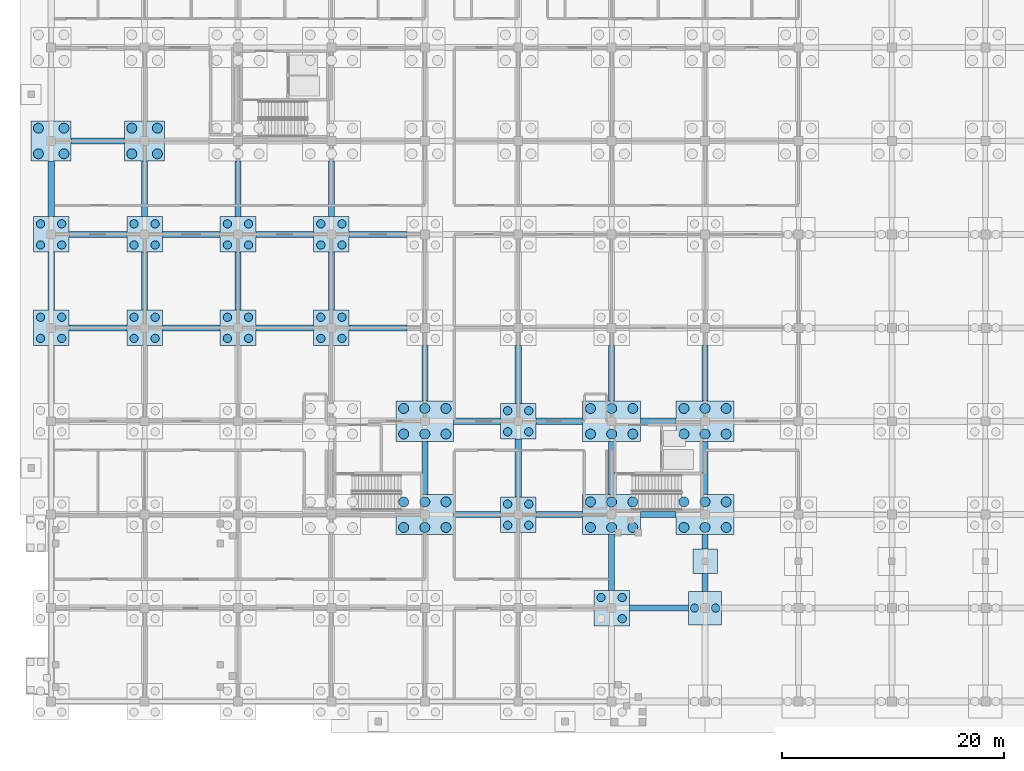
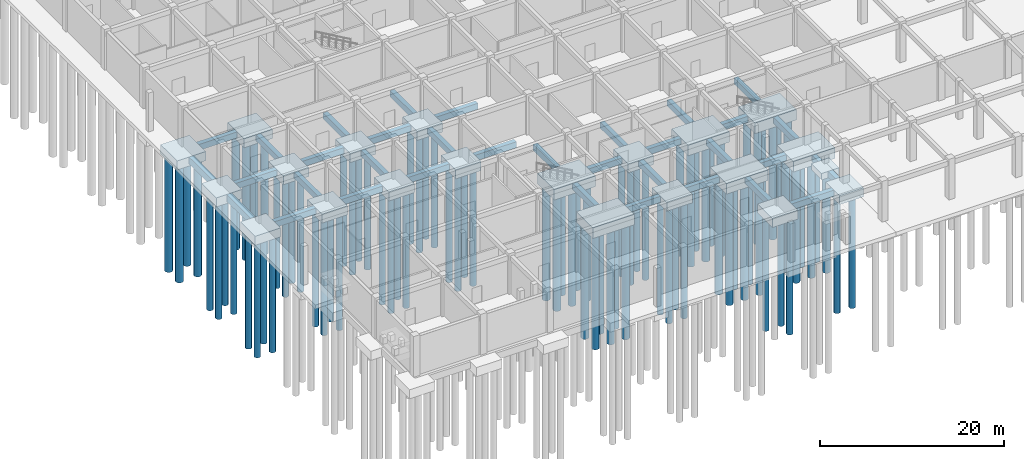
# One storey, part 2 of 65: 89 piles, 56 footings.
"""IFC4 building model written with IfcOpenShell, lengths in metres."""

import ifcopenshell
import ifcopenshell.guid

model = None  # the IFC model being written
_history = None  # IfcOwnerHistory: only IFC2X3 demands one
_inside = {}  # id of a spatial element -> (the spatial element, [elements in it])
_under = {}  # id of a project, library or spatial element -> (it, [spatial elements below it])
_declared = {}  # id of a project -> (the project, [libraries it declares])
_typed = {}  # id of a type object -> (the type object, [elements of that type])
_made_of = {}  # id of a material, layer set ... -> (it, [elements and type objects made of it])


def new_model(schema):
    """Start an empty IFC model of exactly this schema.

    Asked for "IFC4X3", IfcOpenShell would pick the latest addendum, in which some entities
    have other attributes; the version numbers below select the first issue.
    IFC2X3 requires an IfcOwnerHistory on every rooted entity: one is made here for all.
    """
    global model, _history
    if schema == "IFC4X3":
        model = ifcopenshell.file(schema_version=(4, 3, 0, 0))
    else:
        model = ifcopenshell.file(schema=schema)
    _inside.clear()
    _under.clear()
    _declared.clear()
    _typed.clear()
    _made_of.clear()
    _history = None
    if model.schema == "IFC2X3":
        org = make("IfcOrganization", Name="unknown")
        user = make(
            "IfcPersonAndOrganization",
            ThePerson=make("IfcPerson", FamilyName="unknown"),
            TheOrganization=org,
        )
        app = make(
            "IfcApplication",
            ApplicationDeveloper=org,
            Version="unknown",
            ApplicationFullName="unknown",
            ApplicationIdentifier="unknown",
        )
        _history = make(
            "IfcOwnerHistory",
            OwningUser=user,
            OwningApplication=app,
            ChangeAction="ADDED",
            CreationDate=0,
        )
    return model


def make(cls, **values):
    """One entity of the class cls with the attributes given. An attribute that is None is left unset."""
    return model.create_entity(
        cls, **{name: value for name, value in values.items() if value is not None}
    )


def rooted(cls, **values):
    """An entity with a GlobalId (a new one), such as an element, a storey or a relation."""
    return make(cls, GlobalId=ifcopenshell.guid.new(), OwnerHistory=_history, **values)


def si_unit(unit_type, name, prefix=None):
    """IfcSIUnit, for example si_unit("LENGTHUNIT", "METRE", prefix="MILLI")."""
    return make("IfcSIUnit", UnitType=unit_type, Prefix=prefix, Name=name)


def assignment(units):
    """IfcUnitAssignment: the units of a project."""
    return None if units is None else make("IfcUnitAssignment", Units=units)


def point(xyz):
    """IfcCartesianPoint."""
    return None if xyz is None else make("IfcCartesianPoint", Coordinates=xyz)


def direction(xyz):
    """IfcDirection."""
    return None if xyz is None else make("IfcDirection", DirectionRatios=xyz)


def frame(location, z_axis=None, x_axis=None):
    """IfcAxis2Placement3D, a coordinate frame: its origin and axes. An axis left out is left unset."""
    return make(
        "IfcAxis2Placement3D",
        Location=point(location),
        Axis=direction(z_axis),
        RefDirection=direction(x_axis),
    )


def frame_2d(location, x_axis=None):
    """IfcAxis2Placement2D, a coordinate frame in the plane: its origin and x axis."""
    return make(
        "IfcAxis2Placement2D", Location=point(location), RefDirection=direction(x_axis)
    )


def origin():
    """The frame at (0, 0, 0) with its axes left unset."""
    return frame((0.0, 0.0, 0.0))


def origin_2d():
    """The frame at (0, 0) in the plane with its x axis left unset."""
    return frame_2d((0.0, 0.0))


def place(relative_to, where):
    """IfcLocalPlacement: puts the frame where relative to a parent placement (None: the world)."""
    return make(
        "IfcLocalPlacement", PlacementRelTo=relative_to, RelativePlacement=where
    )


def context(
    kind, dimensions, precision=None, world=None, true_north=None, identifier=None
):
    """IfcGeometricRepresentationContext, for example the 3D "Model" context."""
    return make(
        "IfcGeometricRepresentationContext",
        ContextIdentifier=identifier,
        ContextType=kind,
        CoordinateSpaceDimension=dimensions,
        Precision=precision,
        WorldCoordinateSystem=world,
        TrueNorth=true_north,
    )


def subcontext(parent, identifier, kind, view, scale=None):
    """IfcGeometricRepresentationSubContext, for example "Body" below "Model"."""
    return make(
        "IfcGeometricRepresentationSubContext",
        ContextIdentifier=identifier,
        ContextType=kind,
        ParentContext=parent,
        TargetScale=scale,
        TargetView=view,
    )


def project(units=None, contexts=None):
    """IfcProject with its units and contexts."""
    return rooted(
        "IfcProject",
        Name="project",
        RepresentationContexts=contexts,
        UnitsInContext=assignment(units),
    )


def spatial(cls, under=None, at=None, **own):
    """A site, building, storey or space (cls), placed at a placement, below another one or the project."""
    s = rooted(cls, ObjectPlacement=at, **own)
    if under is not None:
        _under.setdefault(under.id(), (under, []))[1].append(s)
    return s


def profile(cls, at=None, kind="AREA", **sizes):
    """A parametric profile (cls). Its sizes go by their IFC names, for example OverallWidth=200.0."""
    return make(cls, ProfileType=kind, Position=at, **sizes)


def rectangle(**sizes):
    """IfcRectangleProfileDef."""
    return profile("IfcRectangleProfileDef", **sizes)


def circle(**sizes):
    """IfcCircleProfileDef."""
    return profile("IfcCircleProfileDef", **sizes)


def extrude(swept, where, along, depth):
    """IfcExtrudedAreaSolid: the profile swept, set in the frame where, extruded along a direction by depth."""
    return make(
        "IfcExtrudedAreaSolid",
        SweptArea=swept,
        Position=where,
        ExtrudedDirection=direction(along),
        Depth=depth,
    )


def shape(context_of_items, identifier, shape_type, items):
    """IfcShapeRepresentation: the items that make up one representation, for example the "Body"."""
    return make(
        "IfcShapeRepresentation",
        ContextOfItems=context_of_items,
        RepresentationIdentifier=identifier,
        RepresentationType=shape_type,
        Items=items,
    )


def material(Name=None, Category=None):
    """IfcMaterial."""
    return make("IfcMaterial", Name=Name, Category=Category)


def material_profile(
    of_material, cross_section, Name=None, Category=None, Priority=None
):
    """IfcMaterialProfile: a cross section and its material."""
    return make(
        "IfcMaterialProfile",
        Name=Name,
        Material=of_material,
        Profile=cross_section,
        Priority=Priority,
        Category=Category,
    )


def profile_set(profiles, Name=None, composite=None):
    """IfcMaterialProfileSet."""
    return make(
        "IfcMaterialProfileSet",
        Name=Name,
        MaterialProfiles=profiles,
        CompositeProfile=composite,
    )


def made_of(thing, what):
    """Note that an element or type object is made of a material, layer set ...; save() writes the relation."""
    if what is not None:
        _made_of.setdefault(what.id(), (what, []))[1].append(thing)
    return thing


def type_object(cls, material=None, **own):
    """A type object (cls), such as IfcWallType, which elements share."""
    return made_of(rooted(cls, **own), material)


def element(
    cls,
    number,
    at=None,
    inside=None,
    cuts=None,
    type_object=None,
    material=None,
    context=None,
    identifier="Body",
    shape_type=None,
    held_by="IfcProductDefinitionShape",
    body=None,
    shapes=None,
    **own,
):
    """One element of the class cls, such as IfcWall. Its Tag is "e" and its number.

    at: its placement. inside: the storey or other place that contains it. cuts: it is an
    opening in that element (IfcRelVoidsElement). A single representation is given by context,
    identifier, shape_type and body (its items); several are given by shapes. held_by: the class
    of the entity that holds the representations. save() writes the other relations.
    """
    e = rooted(cls, Tag="e%d" % number, ObjectPlacement=at, **own)
    if body is not None:
        shapes = [shape(context, identifier, shape_type, body)]
    if shapes is not None:
        e.Representation = make(held_by, Representations=shapes)
    if inside is not None:
        _inside.setdefault(inside.id(), (inside, []))[1].append(e)
    if cuts is not None:
        rooted(
            "IfcRelVoidsElement", RelatingBuildingElement=cuts, RelatedOpeningElement=e
        )
    if type_object is not None:
        _typed.setdefault(type_object.id(), (type_object, []))[1].append(e)
    return made_of(e, material)


def aggregate(whole, parts):
    """IfcRelAggregates: a whole, such as a stair, and the parts it consists of."""
    return rooted("IfcRelAggregates", RelatingObject=whole, RelatedObjects=parts)


def save(model, path):
    """Write the relations noted so far, then the file.

    IfcRelAggregates (storeys below a building ...), IfcRelContainedInSpatialStructure (elements
    in a storey), IfcRelDefinesByType, IfcRelAssociatesMaterial and IfcRelDeclares: one each for
    every whole, place, type object, material and project.
    """
    for whole, parts in _under.values():
        aggregate(whole, parts)
    for where, things in _inside.values():
        rooted(
            "IfcRelContainedInSpatialStructure",
            RelatedElements=things,
            RelatingStructure=where,
        )
    for kind, things in _typed.values():
        rooted("IfcRelDefinesByType", RelatedObjects=things, RelatingType=kind)
    for what, things in _made_of.values():
        rooted("IfcRelAssociatesMaterial", RelatedObjects=things, RelatingMaterial=what)
    for by, libraries in _declared.values():
        rooted("IfcRelDeclares", RelatingContext=by, RelatedDefinitions=libraries)
    model.write(path)


model = new_model("IFC4")

# Units and contexts
model_context = context("Model", 3, precision=1e-05, world=origin(), true_north=direction((0.0, 1.0)))
body_context = subcontext(model_context, "Body", "Model", "MODEL_VIEW")
ifc_project = project(units=[si_unit("LENGTHUNIT", "METRE"), si_unit("AREAUNIT", "SQUARE_METRE"), si_unit("VOLUMEUNIT", "CUBIC_METRE"), si_unit("PLANEANGLEUNIT", "RADIAN"), si_unit("MASSUNIT", "GRAM", prefix="KILO")], contexts=[model_context])

# Site, building, storey
site_placement = place(None, origin())
site = spatial("IfcSite", under=ifc_project, at=site_placement, CompositionType="ELEMENT")
building_placement = place(site_placement, origin())
building = spatial("IfcBuilding", under=site, at=building_placement, Name="Bramfleet General Hospital", CompositionType="ELEMENT")
storey_placement = place(building_placement, frame((0.0, 0.0, -5.39990234375)))
storey = spatial("IfcBuildingStorey", under=building, at=storey_placement, Name="B1", CompositionType="ELEMENT", Elevation=-5.39990234375)

# Footings
ifc_material = material(Name="Concrete C35/45", Category="concrete")
ifc_material_profile_1 = material_profile(ifc_material, rectangle(XDim=0.550048828125, YDim=0.800048828125, at=origin_2d()), Name="RC FB 800x550")
ifc_profile_set_1 = profile_set([ifc_material_profile_1], Name="Concrete C35/45")
footing_type_1 = type_object("IfcFootingType", Name="FTG-FB-01", PredefinedType="FOOTING_BEAM", material=ifc_profile_set_1)
for number, where, z_axis, x_axis, name in (
    (1, (1.60009765625, 33.60009765625, -0.900146484375), (1.0, 0.0, 0.0), (0.0, 1.0, 0.0), "Foundation Tie Beam X 00-04"),
    (2, (1.60009765625, 42.0, -0.900146484375), (1.0, 0.0, 0.0), (0.0, 1.0, 0.0), "Foundation Tie Beam X 00-05"),
):
    element("IfcFooting", number, at=place(storey_placement, frame(where, z_axis=z_axis, x_axis=x_axis)), inside=storey, type_object=footing_type_1, Name=name, PredefinedType="FOOTING_BEAM", context=body_context, shape_type="SweptSolid", body=[
        extrude(rectangle(XDim=0.550048828125, YDim=0.800048828125, at=origin_2d()), origin(), (0.0, 0.0, 1.0), 5.199951171875),
    ])
footing_1_placement = place(storey_placement, frame((1.800048828125, 50.39990234375, -0.900146484375), z_axis=(1.0, 0.0, 0.0), x_axis=(0.0, 1.0, 0.0)))
element("IfcFooting", 3, at=footing_1_placement, inside=storey, type_object=footing_type_1, Name="Foundation Tie Beam X 00-06", PredefinedType="FOOTING_BEAM", context=body_context, shape_type="SweptSolid", body=[
    extrude(rectangle(XDim=0.550048828125, YDim=0.800048828125, at=origin_2d()), origin(), (0.0, 0.0, 1.0), 4.800048828125),
])
for number, where, z_axis, x_axis, name in (
    (4, (10.0, 33.60009765625, -0.900146484375), (1.0, 0.0, 0.0), (0.0, 1.0, 0.0), "Foundation Tie Beam X 01-04"),
    (5, (8.39990234375, 35.199951171875, -0.900146484375), (0.0, 1.0, 0.0), (-1.0, 0.0, 0.0), "Foundation Tie Beam Y 01-04"),
    (6, (10.0, 42.0, -0.900146484375), (1.0, 0.0, 0.0), (0.0, 1.0, 0.0), "Foundation Tie Beam X 01-05"),
):
    element("IfcFooting", number, at=place(storey_placement, frame(where, z_axis=z_axis, x_axis=x_axis)), inside=storey, type_object=footing_type_1, Name=name, PredefinedType="FOOTING_BEAM", context=body_context, shape_type="SweptSolid", body=[
        extrude(rectangle(XDim=0.550048828125, YDim=0.800048828125, at=origin_2d()), origin(), (0.0, 0.0, 1.0), 5.199951171875),
    ])
footing_2_placement = place(storey_placement, frame((8.39990234375, 43.60009765625, -0.900146484375), z_axis=(0.0, 1.0, 0.0), x_axis=(-1.0, 0.0, 0.0)))
element("IfcFooting", 7, at=footing_2_placement, inside=storey, type_object=footing_type_1, Name="Foundation Tie Beam Y 01-05", PredefinedType="FOOTING_BEAM", context=body_context, shape_type="SweptSolid", body=[
    extrude(rectangle(XDim=0.550048828125, YDim=0.800048828125, at=origin_2d()), origin(), (0.0, 0.0, 1.0), 5.0),
])
footing_3_placement = place(storey_placement, frame((18.39990234375, 33.60009765625, -0.900146484375), z_axis=(1.0, 0.0, 0.0), x_axis=(0.0, 1.0, 0.0)))
element("IfcFooting", 8, at=footing_3_placement, inside=storey, type_object=footing_type_1, Name="Foundation Tie Beam X 02-04", PredefinedType="FOOTING_BEAM", context=body_context, shape_type="SweptSolid", body=[
    extrude(rectangle(XDim=0.550048828125, YDim=0.800048828125, at=origin_2d()), origin(), (0.0, 0.0, 1.0), 5.2001953125),
])
footing_4_placement = place(storey_placement, frame((16.800048828125, 35.199951171875, -0.900146484375), z_axis=(0.0, 1.0, 0.0), x_axis=(-1.0, 0.0, 0.0)))
element("IfcFooting", 9, at=footing_4_placement, inside=storey, type_object=footing_type_1, Name="Foundation Tie Beam Y 02-04", PredefinedType="FOOTING_BEAM", context=body_context, shape_type="SweptSolid", body=[
    extrude(rectangle(XDim=0.550048828125, YDim=0.800048828125, at=origin_2d()), origin(), (0.0, 0.0, 1.0), 5.199951171875),
])
footing_5_placement = place(storey_placement, frame((18.39990234375, 42.0, -0.900146484375), z_axis=(1.0, 0.0, 0.0), x_axis=(0.0, 1.0, 0.0)))
element("IfcFooting", 10, at=footing_5_placement, inside=storey, type_object=footing_type_1, Name="Foundation Tie Beam X 02-05", PredefinedType="FOOTING_BEAM", context=body_context, shape_type="SweptSolid", body=[
    extrude(rectangle(XDim=0.550048828125, YDim=0.800048828125, at=origin_2d()), origin(), (0.0, 0.0, 1.0), 5.2001953125),
])
footing_6_placement = place(storey_placement, frame((16.800048828125, 43.60009765625, -0.900146484375), z_axis=(0.0, 1.0, 0.0), x_axis=(-1.0, 0.0, 0.0)))
element("IfcFooting", 11, at=footing_6_placement, inside=storey, type_object=footing_type_1, Name="Foundation Tie Beam Y 02-05", PredefinedType="FOOTING_BEAM", context=body_context, shape_type="SweptSolid", body=[
    extrude(rectangle(XDim=0.550048828125, YDim=0.800048828125, at=origin_2d()), origin(), (0.0, 0.0, 1.0), 5.0),
])
for number, where, z_axis, x_axis, name in (
    (12, (26.800048828125, 33.60009765625, -0.900146484375), (1.0, 0.0, 0.0), (0.0, 1.0, 0.0), "Foundation Tie Beam X 03-04"),
    (13, (25.199951171875, 35.199951171875, -0.900146484375), (0.0, 1.0, 0.0), (-1.0, 0.0, 0.0), "Foundation Tie Beam Y 03-04"),
    (14, (26.800048828125, 42.0, -0.900146484375), (1.0, 0.0, 0.0), (0.0, 1.0, 0.0), "Foundation Tie Beam X 03-05"),
):
    element("IfcFooting", number, at=place(storey_placement, frame(where, z_axis=z_axis, x_axis=x_axis)), inside=storey, type_object=footing_type_1, Name=name, PredefinedType="FOOTING_BEAM", context=body_context, shape_type="SweptSolid", body=[
        extrude(rectangle(XDim=0.550048828125, YDim=0.800048828125, at=origin_2d()), origin(), (0.0, 0.0, 1.0), 5.199951171875),
    ])
footing_7_placement = place(storey_placement, frame((25.199951171875, 43.60009765625, -0.900146484375), z_axis=(0.0, 1.0, 0.0), x_axis=(-1.0, 0.0, 0.0)))
element("IfcFooting", 15, at=footing_7_placement, inside=storey, type_object=footing_type_1, Name="Foundation Tie Beam Y 03-05", PredefinedType="FOOTING_BEAM", context=body_context, shape_type="SweptSolid", body=[
    extrude(rectangle(XDim=0.550048828125, YDim=0.800048828125, at=origin_2d()), origin(), (0.0, 0.0, 1.0), 5.0),
])
footing_8_placement = place(storey_placement, frame((36.199951171875, 16.800048828125, -0.900146484375), z_axis=(1.0, 0.0, 0.0), x_axis=(0.0, 1.0, 0.0)))
element("IfcFooting", 16, at=footing_8_placement, inside=storey, type_object=footing_type_1, Name="Foundation Tie Beam X 04-02", PredefinedType="FOOTING_BEAM", context=body_context, shape_type="SweptSolid", body=[
    extrude(rectangle(XDim=0.550048828125, YDim=0.800048828125, at=origin_2d()), origin(), (0.0, 0.0, 1.0), 4.199951171875),
])
footing_9_placement = place(storey_placement, frame((33.60009765625, 18.60009765625, -0.900146484375), z_axis=(0.0, 1.0, 0.0), x_axis=(-1.0, 0.0, 0.0)))
element("IfcFooting", 17, at=footing_9_placement, inside=storey, type_object=footing_type_1, Name="Foundation Tie Beam Y 04-02", PredefinedType="FOOTING_BEAM", context=body_context, shape_type="SweptSolid", body=[
    extrude(rectangle(XDim=0.550048828125, YDim=0.800048828125, at=origin_2d()), origin(), (0.0, 0.0, 1.0), 4.7998046875),
])
footing_10_placement = place(storey_placement, frame((36.199951171875, 25.199951171875, -0.900146484375), z_axis=(1.0, 0.0, 0.0), x_axis=(0.0, 1.0, 0.0)))
element("IfcFooting", 18, at=footing_10_placement, inside=storey, type_object=footing_type_1, Name="Foundation Tie Beam X 04-03", PredefinedType="FOOTING_BEAM", context=body_context, shape_type="SweptSolid", body=[
    extrude(rectangle(XDim=0.550048828125, YDim=0.800048828125, at=origin_2d()), origin(), (0.0, 0.0, 1.0), 4.199951171875),
])
footing_11_placement = place(storey_placement, frame((33.60009765625, 27.0, -0.900146484375), z_axis=(0.0, 1.0, 0.0), x_axis=(-1.0, 0.0, 0.0)))
element("IfcFooting", 19, at=footing_11_placement, inside=storey, type_object=footing_type_1, Name="Foundation Tie Beam Y 04-03", PredefinedType="FOOTING_BEAM", context=body_context, shape_type="SweptSolid", body=[
    extrude(rectangle(XDim=0.550048828125, YDim=0.800048828125, at=origin_2d()), origin(), (0.0, 0.0, 1.0), 5.0),
])
footing_12_placement = place(storey_placement, frame((43.60009765625, 16.800048828125, -0.900146484375), z_axis=(1.0, 0.0, 0.0), x_axis=(0.0, 1.0, 0.0)))
element("IfcFooting", 20, at=footing_12_placement, inside=storey, type_object=footing_type_1, Name="Foundation Tie Beam X 05-02", PredefinedType="FOOTING_BEAM", context=body_context, shape_type="SweptSolid", body=[
    extrude(rectangle(XDim=0.550048828125, YDim=0.800048828125, at=origin_2d()), origin(), (0.0, 0.0, 1.0), 4.199951171875),
])
footing_13_placement = place(storey_placement, frame((42.0, 18.39990234375, -0.900146484375), z_axis=(0.0, 1.0, 0.0), x_axis=(-1.0, 0.0, 0.0)))
element("IfcFooting", 21, at=footing_13_placement, inside=storey, type_object=footing_type_1, Name="Foundation Tie Beam Y 05-02", PredefinedType="FOOTING_BEAM", context=body_context, shape_type="SweptSolid", body=[
    extrude(rectangle(XDim=0.550048828125, YDim=0.800048828125, at=origin_2d()), origin(), (0.0, 0.0, 1.0), 5.2001953125),
])
footing_14_placement = place(storey_placement, frame((43.60009765625, 25.199951171875, -0.900146484375), z_axis=(1.0, 0.0, 0.0), x_axis=(0.0, 1.0, 0.0)))
element("IfcFooting", 22, at=footing_14_placement, inside=storey, type_object=footing_type_1, Name="Foundation Tie Beam X 05-03", PredefinedType="FOOTING_BEAM", context=body_context, shape_type="SweptSolid", body=[
    extrude(rectangle(XDim=0.550048828125, YDim=0.800048828125, at=origin_2d()), origin(), (0.0, 0.0, 1.0), 4.199951171875),
])
footing_15_placement = place(storey_placement, frame((42.0, 26.800048828125, -0.900146484375), z_axis=(0.0, 1.0, 0.0), x_axis=(-1.0, 0.0, 0.0)))
element("IfcFooting", 23, at=footing_15_placement, inside=storey, type_object=footing_type_1, Name="Foundation Tie Beam Y 05-03", PredefinedType="FOOTING_BEAM", context=body_context, shape_type="SweptSolid", body=[
    extrude(rectangle(XDim=0.550048828125, YDim=0.800048828125, at=origin_2d()), origin(), (0.0, 0.0, 1.0), 5.199951171875),
])
footing_16_placement = place(storey_placement, frame((52.0, 8.39990234375, -0.900146484375), z_axis=(1.0, 0.0, 0.0), x_axis=(0.0, 1.0, 0.0)))
element("IfcFooting", 24, at=footing_16_placement, inside=storey, type_object=footing_type_1, Name="Foundation Tie Beam X 06-01", PredefinedType="FOOTING_BEAM", context=body_context, shape_type="SweptSolid", body=[
    extrude(rectangle(XDim=0.550048828125, YDim=0.800048828125, at=origin_2d()), origin(), (0.0, 0.0, 1.0), 5.300048828125),
])
footing_17_placement = place(storey_placement, frame((50.39990234375, 10.0, -0.900146484375), z_axis=(0.0, 1.0, 0.0), x_axis=(-1.0, 0.0, 0.0)))
element("IfcFooting", 25, at=footing_17_placement, inside=storey, type_object=footing_type_1, Name="Foundation Tie Beam Y 06-01", PredefinedType="FOOTING_BEAM", context=body_context, shape_type="SweptSolid", body=[
    extrude(rectangle(XDim=0.550048828125, YDim=0.800048828125, at=origin_2d()), origin(), (0.0, 0.0, 1.0), 5.0),
])
footing_18_placement = place(storey_placement, frame((53.0, 16.800048828125, -0.900146484375), z_axis=(1.0, 0.0, 0.0), x_axis=(0.0, 1.0, 0.0)))
element("IfcFooting", 26, at=footing_18_placement, inside=storey, type_object=footing_type_1, Name="Foundation Tie Beam X 06-02", PredefinedType="FOOTING_BEAM", context=body_context, shape_type="SweptSolid", body=[
    extrude(rectangle(XDim=0.550048828125, YDim=0.800048828125, at=origin_2d()), origin(), (0.0, 0.0, 1.0), 3.199951171875),
])
footing_19_placement = place(storey_placement, frame((50.39990234375, 18.60009765625, -0.900146484375), z_axis=(0.0, 1.0, 0.0), x_axis=(-1.0, 0.0, 0.0)))
element("IfcFooting", 27, at=footing_19_placement, inside=storey, type_object=footing_type_1, Name="Foundation Tie Beam Y 06-02", PredefinedType="FOOTING_BEAM", context=body_context, shape_type="SweptSolid", body=[
    extrude(rectangle(XDim=0.550048828125, YDim=0.800048828125, at=origin_2d()), origin(), (0.0, 0.0, 1.0), 4.7998046875),
])
footing_20_placement = place(storey_placement, frame((53.0, 25.199951171875, -0.900146484375), z_axis=(1.0, 0.0, 0.0), x_axis=(0.0, 1.0, 0.0)))
element("IfcFooting", 28, at=footing_20_placement, inside=storey, type_object=footing_type_1, Name="Foundation Tie Beam X 06-03", PredefinedType="FOOTING_BEAM", context=body_context, shape_type="SweptSolid", body=[
    extrude(rectangle(XDim=0.550048828125, YDim=0.800048828125, at=origin_2d()), origin(), (0.0, 0.0, 1.0), 3.199951171875),
])
footing_21_placement = place(storey_placement, frame((50.39990234375, 27.0, -0.900146484375), z_axis=(0.0, 1.0, 0.0), x_axis=(-1.0, 0.0, 0.0)))
element("IfcFooting", 29, at=footing_21_placement, inside=storey, type_object=footing_type_1, Name="Foundation Tie Beam Y 06-03", PredefinedType="FOOTING_BEAM", context=body_context, shape_type="SweptSolid", body=[
    extrude(rectangle(XDim=0.550048828125, YDim=0.800048828125, at=origin_2d()), origin(), (0.0, 0.0, 1.0), 5.0),
])
footing_22_placement = place(storey_placement, frame((58.800048828125, 9.89990234375, -0.900146484375), z_axis=(0.0, 1.0, 0.0), x_axis=(-1.0, 0.0, 0.0)))
element("IfcFooting", 30, at=footing_22_placement, inside=storey, type_object=footing_type_1, Name="Foundation Tie Beam Y 07-01A", PredefinedType="FOOTING_BEAM", context=body_context, shape_type="SweptSolid", body=[
    extrude(rectangle(XDim=0.550048828125, YDim=0.800048828125, at=origin_2d()), origin(), (0.0, 0.0, 1.0), 1.60009765625),
])
footing_23_placement = place(storey_placement, frame((58.800048828125, 13.699951171875, -0.900146484375), z_axis=(0.0, 1.0, 0.0), x_axis=(-1.0, 0.0, 0.0)))
element("IfcFooting", 31, at=footing_23_placement, inside=storey, type_object=footing_type_1, Name="Foundation Tie Beam Y 07-01B", PredefinedType="FOOTING_BEAM", context=body_context, shape_type="SweptSolid", body=[
    extrude(rectangle(XDim=0.550048828125, YDim=0.800048828125, at=origin_2d()), origin(), (0.0, 0.0, 1.0), 1.300048828125),
])
footing_24_placement = place(storey_placement, frame((58.800048828125, 18.60009765625, -0.900146484375), z_axis=(0.0, 1.0, 0.0), x_axis=(-1.0, 0.0, 0.0)))
element("IfcFooting", 32, at=footing_24_placement, inside=storey, type_object=footing_type_1, Name="Foundation Tie Beam Y 07-02", PredefinedType="FOOTING_BEAM", context=body_context, shape_type="SweptSolid", body=[
    extrude(rectangle(XDim=0.550048828125, YDim=0.800048828125, at=origin_2d()), origin(), (0.0, 0.0, 1.0), 4.7998046875),
])
footing_25_placement = place(storey_placement, frame((58.800048828125, 27.0, -0.900146484375), z_axis=(0.0, 1.0, 0.0), x_axis=(-1.0, 0.0, 0.0)))
element("IfcFooting", 33, at=footing_25_placement, inside=storey, type_object=footing_type_1, Name="Foundation Tie Beam Y 07-03", PredefinedType="FOOTING_BEAM", context=body_context, shape_type="SweptSolid", body=[
    extrude(rectangle(XDim=0.550048828125, YDim=0.800048828125, at=origin_2d()), origin(), (0.0, 0.0, 1.0), 5.0),
])
ifc_material_profile_2 = material_profile(ifc_material, rectangle(XDim=0.60009765625, YDim=0.89990234375, at=origin_2d()), Name="RC FB 900x600")
ifc_profile_set_2 = profile_set([ifc_material_profile_2], Name="Concrete C35/45")
footing_type_2 = type_object("IfcFootingType", Name="FTG-FB-02", PredefinedType="FOOTING_BEAM", material=ifc_profile_set_2)
footing_26_placement = place(storey_placement, frame((0.0, 35.199951171875, -0.9501953125), z_axis=(0.0, 1.0, 0.0), x_axis=(-1.0, 0.0, 0.0)))
element("IfcFooting", 34, at=footing_26_placement, inside=storey, type_object=footing_type_2, Name="Foundation Tie Beam Y 00-04", PredefinedType="FOOTING_BEAM", context=body_context, shape_type="SweptSolid", body=[
    extrude(rectangle(XDim=0.60009765625, YDim=0.89990234375, at=origin_2d()), origin(), (0.0, 0.0, 1.0), 5.199951171875),
])
footing_27_placement = place(storey_placement, frame((0.0, 43.60009765625, -0.9501953125), z_axis=(0.0, 1.0, 0.0), x_axis=(-1.0, 0.0, 0.0)))
element("IfcFooting", 35, at=footing_27_placement, inside=storey, type_object=footing_type_2, Name="Foundation Tie Beam Y 00-05", PredefinedType="FOOTING_BEAM", context=body_context, shape_type="SweptSolid", body=[
    extrude(rectangle(XDim=0.60009765625, YDim=0.89990234375, at=origin_2d()), origin(), (0.0, 0.0, 1.0), 5.0),
])
footing_type_3 = type_object("IfcFootingType", Name="FTG-PC-01", PredefinedType="PILE_CAP", material=ifc_material)
footing_28_placement = place(storey_placement, frame((58.800048828125, 8.39990234375, -1.7001953125), z_axis=(0.0, 0.0, 1.0), x_axis=(1.0, 0.0, 0.0)))
element("IfcFooting", 36, at=footing_28_placement, inside=storey, type_object=footing_type_3, Name="Pile Cap FTG-B1-07-01", PredefinedType="PILE_CAP", context=body_context, shape_type="SweptSolid", body=[
    extrude(rectangle(XDim=3.0, YDim=3.0, at=origin_2d()), origin(), (0.0, 0.0, 1.0), 1.199951171875),
])
footing_type_4 = type_object("IfcFootingType", Name="FTG-PC-02", PredefinedType="PILE_CAP", material=ifc_material)
for number, where, z_axis, x_axis, name in (
    (37, (0.0, 33.60009765625, -1.7001953125), (0.0, 0.0, 1.0), (1.0, 0.0, 0.0), "Pile Cap FTG-B1-00-04"),
    (38, (0.0, 42.0, -1.7001953125), (0.0, 0.0, 1.0), (1.0, 0.0, 0.0), "Pile Cap FTG-B1-00-05"),
    (39, (8.39990234375, 33.60009765625, -1.7001953125), (0.0, 0.0, 1.0), (1.0, 0.0, 0.0), "Pile Cap FTG-B1-01-04"),
    (40, (8.39990234375, 42.0, -1.7001953125), (0.0, 0.0, 1.0), (1.0, 0.0, 0.0), "Pile Cap FTG-B1-01-05"),
    (41, (16.800048828125, 33.60009765625, -1.7001953125), (0.0, 0.0, 1.0), (1.0, 0.0, 0.0), "Pile Cap FTG-B1-02-04"),
    (42, (16.800048828125, 42.0, -1.7001953125), (0.0, 0.0, 1.0), (1.0, 0.0, 0.0), "Pile Cap FTG-B1-02-05"),
    (43, (25.199951171875, 33.60009765625, -1.7001953125), (0.0, 0.0, 1.0), (1.0, 0.0, 0.0), "Pile Cap FTG-B1-03-04"),
    (44, (25.199951171875, 42.0, -1.7001953125), (0.0, 0.0, 1.0), (1.0, 0.0, 0.0), "Pile Cap FTG-B1-03-05"),
    (45, (42.0, 16.800048828125, -1.7001953125), (0.0, 0.0, 1.0), (1.0, 0.0, 0.0), "Pile Cap FTG-B1-05-02"),
    (46, (42.0, 25.199951171875, -1.7001953125), (0.0, 0.0, 1.0), (1.0, 0.0, 0.0), "Pile Cap FTG-B1-05-03"),
    (47, (50.39990234375, 8.39990234375, -1.7001953125), (0.0, 0.0, 1.0), (1.0, 0.0, 0.0), "Pile Cap FTG-B1-06-01"),
):
    element("IfcFooting", number, at=place(storey_placement, frame(where, z_axis=z_axis, x_axis=x_axis)), inside=storey, type_object=footing_type_4, Name=name, PredefinedType="PILE_CAP", context=body_context, shape_type="SweptSolid", body=[
        extrude(rectangle(XDim=3.199951171875, YDim=3.199951171875, at=origin_2d()), origin(), (0.0, 0.0, 1.0), 1.199951171875),
    ])
footing_type_5 = type_object("IfcFootingType", Name="FTG-PC-03", PredefinedType="PILE_CAP", material=ifc_material)
for number, where, z_axis, x_axis, name in (
    (48, (0.0, 50.39990234375, -1.7001953125), (0.0, 0.0, 1.0), (1.0, 0.0, 0.0), "Pile Cap FTG-B1-00-06"),
    (49, (8.39990234375, 50.39990234375, -1.7001953125), (0.0, 0.0, 1.0), (1.0, 0.0, 0.0), "Pile Cap FTG-B1-01-06"),
):
    element("IfcFooting", number, at=place(storey_placement, frame(where, z_axis=z_axis, x_axis=x_axis)), inside=storey, type_object=footing_type_5, Name=name, PredefinedType="PILE_CAP", context=body_context, shape_type="SweptSolid", body=[
        extrude(rectangle(XDim=3.60009765625, YDim=3.60009765625, at=origin_2d()), origin(), (0.0, 0.0, 1.0), 1.199951171875),
    ])
footing_type_6 = type_object("IfcFootingType", Name="FTG-PC-06", PredefinedType="PILE_CAP", material=ifc_material)
for number, where, z_axis, x_axis, name in (
    (50, (33.60009765625, 16.800048828125, -1.900146484375), (0.0, 0.0, 1.0), (1.0, 0.0, 0.0), "Pile Cap FTG-B1-04-02"),
    (51, (33.60009765625, 25.199951171875, -1.900146484375), (0.0, 0.0, 1.0), (1.0, 0.0, 0.0), "Pile Cap FTG-B1-04-03"),
    (52, (50.39990234375, 16.800048828125, -1.900146484375), (0.0, 0.0, 1.0), (1.0, 0.0, 0.0), "Pile Cap FTG-B1-06-02"),
    (53, (50.39990234375, 25.199951171875, -1.900146484375), (0.0, 0.0, 1.0), (1.0, 0.0, 0.0), "Pile Cap FTG-B1-06-03"),
    (54, (58.800048828125, 16.800048828125, -1.900146484375), (0.0, 0.0, 1.0), (1.0, 0.0, 0.0), "Pile Cap FTG-B1-07-02"),
    (55, (58.800048828125, 25.199951171875, -1.900146484375), (0.0, 0.0, 1.0), (1.0, 0.0, 0.0), "Pile Cap FTG-B1-07-03"),
):
    element("IfcFooting", number, at=place(storey_placement, frame(where, z_axis=z_axis, x_axis=x_axis)), inside=storey, type_object=footing_type_6, Name=name, PredefinedType="PILE_CAP", context=body_context, shape_type="SweptSolid", body=[
        extrude(rectangle(XDim=5.199951171875, YDim=3.60009765625, at=origin_2d()), origin(), (0.0, 0.0, 1.0), 1.39990234375),
    ])
footing_type_7 = type_object("IfcFootingType", Name="FTG-PF-01", PredefinedType="PAD_FOOTING", material=ifc_material)
footing_29_placement = place(storey_placement, frame((58.800048828125, 12.60009765625, -1.35009765625), z_axis=(0.0, 0.0, 1.0), x_axis=(1.0, 0.0, 0.0)))
element("IfcFooting", 56, at=footing_29_placement, inside=storey, type_object=footing_type_7, Name="Canopy Foundation Pad Footing 1", PredefinedType="PAD_FOOTING", context=body_context, shape_type="SweptSolid", body=[
    extrude(rectangle(XDim=2.199951171875, YDim=2.199951171875, at=origin_2d()), origin(), (0.0, 0.0, 1.0), 0.85009765625),
])

# Piles
ifc_material_profile_3 = material_profile(ifc_material, circle(Radius=0.375, at=origin_2d()), Name="PILE BORED D750")
ifc_profile_set_3 = profile_set([ifc_material_profile_3], Name="Concrete C35/45")
pile_type_1 = type_object("IfcPileType", Name="PILE-D750", PredefinedType="BORED", material=ifc_profile_set_3)
for number, where, z_axis, x_axis, name in (
    (57, (-0.949951171875, 32.64990234375, -1.60009765625), (0.0, 0.0, -1.0), (1.0, 0.0, 0.0), "Bored Pile PILE-B1-00-04-1"),
    (58, (0.949951171875, 32.64990234375, -1.60009765625), (0.0, 0.0, -1.0), (1.0, 0.0, 0.0), "Bored Pile PILE-B1-00-04-2"),
    (59, (-0.949951171875, 34.550048828125, -1.60009765625), (0.0, 0.0, -1.0), (1.0, 0.0, 0.0), "Bored Pile PILE-B1-00-04-3"),
    (60, (0.949951171875, 34.550048828125, -1.60009765625), (0.0, 0.0, -1.0), (1.0, 0.0, 0.0), "Bored Pile PILE-B1-00-04-4"),
    (61, (-0.949951171875, 41.050048828125, -1.60009765625), (0.0, 0.0, -1.0), (1.0, 0.0, 0.0), "Bored Pile PILE-B1-00-05-1"),
    (62, (0.949951171875, 41.050048828125, -1.60009765625), (0.0, 0.0, -1.0), (1.0, 0.0, 0.0), "Bored Pile PILE-B1-00-05-2"),
    (63, (-0.949951171875, 42.949951171875, -1.60009765625), (0.0, 0.0, -1.0), (1.0, 0.0, 0.0), "Bored Pile PILE-B1-00-05-3"),
    (64, (0.949951171875, 42.949951171875, -1.60009765625), (0.0, 0.0, -1.0), (1.0, 0.0, 0.0), "Bored Pile PILE-B1-00-05-4"),
    (65, (7.449951171875, 32.64990234375, -1.60009765625), (0.0, 0.0, -1.0), (1.0, 0.0, 0.0), "Bored Pile PILE-B1-01-04-1"),
    (66, (9.35009765625, 32.64990234375, -1.60009765625), (0.0, 0.0, -1.0), (1.0, 0.0, 0.0), "Bored Pile PILE-B1-01-04-2"),
    (67, (7.449951171875, 34.550048828125, -1.60009765625), (0.0, 0.0, -1.0), (1.0, 0.0, 0.0), "Bored Pile PILE-B1-01-04-3"),
    (68, (9.35009765625, 34.550048828125, -1.60009765625), (0.0, 0.0, -1.0), (1.0, 0.0, 0.0), "Bored Pile PILE-B1-01-04-4"),
    (69, (7.449951171875, 41.050048828125, -1.60009765625), (0.0, 0.0, -1.0), (1.0, 0.0, 0.0), "Bored Pile PILE-B1-01-05-1"),
    (70, (9.35009765625, 41.050048828125, -1.60009765625), (0.0, 0.0, -1.0), (1.0, 0.0, 0.0), "Bored Pile PILE-B1-01-05-2"),
    (71, (7.449951171875, 42.949951171875, -1.60009765625), (0.0, 0.0, -1.0), (1.0, 0.0, 0.0), "Bored Pile PILE-B1-01-05-3"),
    (72, (9.35009765625, 42.949951171875, -1.60009765625), (0.0, 0.0, -1.0), (1.0, 0.0, 0.0), "Bored Pile PILE-B1-01-05-4"),
    (73, (15.85009765625, 32.64990234375, -1.60009765625), (0.0, 0.0, -1.0), (1.0, 0.0, 0.0), "Bored Pile PILE-B1-02-04-1"),
    (74, (17.75, 32.64990234375, -1.60009765625), (0.0, 0.0, -1.0), (1.0, 0.0, 0.0), "Bored Pile PILE-B1-02-04-2"),
    (75, (15.85009765625, 34.550048828125, -1.60009765625), (0.0, 0.0, -1.0), (1.0, 0.0, 0.0), "Bored Pile PILE-B1-02-04-3"),
    (76, (17.75, 34.550048828125, -1.60009765625), (0.0, 0.0, -1.0), (1.0, 0.0, 0.0), "Bored Pile PILE-B1-02-04-4"),
    (77, (15.85009765625, 41.050048828125, -1.60009765625), (0.0, 0.0, -1.0), (1.0, 0.0, 0.0), "Bored Pile PILE-B1-02-05-1"),
    (78, (17.75, 41.050048828125, -1.60009765625), (0.0, 0.0, -1.0), (1.0, 0.0, 0.0), "Bored Pile PILE-B1-02-05-2"),
    (79, (15.85009765625, 42.949951171875, -1.60009765625), (0.0, 0.0, -1.0), (1.0, 0.0, 0.0), "Bored Pile PILE-B1-02-05-3"),
    (80, (17.75, 42.949951171875, -1.60009765625), (0.0, 0.0, -1.0), (1.0, 0.0, 0.0), "Bored Pile PILE-B1-02-05-4"),
    (81, (24.25, 32.64990234375, -1.60009765625), (0.0, 0.0, -1.0), (1.0, 0.0, 0.0), "Bored Pile PILE-B1-03-04-1"),
    (82, (26.14990234375, 32.64990234375, -1.60009765625), (0.0, 0.0, -1.0), (1.0, 0.0, 0.0), "Bored Pile PILE-B1-03-04-2"),
    (83, (24.25, 34.550048828125, -1.60009765625), (0.0, 0.0, -1.0), (1.0, 0.0, 0.0), "Bored Pile PILE-B1-03-04-3"),
    (84, (26.14990234375, 34.550048828125, -1.60009765625), (0.0, 0.0, -1.0), (1.0, 0.0, 0.0), "Bored Pile PILE-B1-03-04-4"),
    (85, (24.25, 41.050048828125, -1.60009765625), (0.0, 0.0, -1.0), (1.0, 0.0, 0.0), "Bored Pile PILE-B1-03-05-1"),
    (86, (26.14990234375, 41.050048828125, -1.60009765625), (0.0, 0.0, -1.0), (1.0, 0.0, 0.0), "Bored Pile PILE-B1-03-05-2"),
    (87, (24.25, 42.949951171875, -1.60009765625), (0.0, 0.0, -1.0), (1.0, 0.0, 0.0), "Bored Pile PILE-B1-03-05-3"),
    (88, (26.14990234375, 42.949951171875, -1.60009765625), (0.0, 0.0, -1.0), (1.0, 0.0, 0.0), "Bored Pile PILE-B1-03-05-4"),
    (89, (41.050048828125, 15.85009765625, -1.60009765625), (0.0, 0.0, -1.0), (1.0, 0.0, 0.0), "Bored Pile PILE-B1-05-02-1"),
    (90, (42.949951171875, 15.85009765625, -1.60009765625), (0.0, 0.0, -1.0), (1.0, 0.0, 0.0), "Bored Pile PILE-B1-05-02-2"),
    (91, (41.050048828125, 17.75, -1.60009765625), (0.0, 0.0, -1.0), (1.0, 0.0, 0.0), "Bored Pile PILE-B1-05-02-3"),
    (92, (42.949951171875, 17.75, -1.60009765625), (0.0, 0.0, -1.0), (1.0, 0.0, 0.0), "Bored Pile PILE-B1-05-02-4"),
    (93, (41.050048828125, 24.25, -1.60009765625), (0.0, 0.0, -1.0), (1.0, 0.0, 0.0), "Bored Pile PILE-B1-05-03-1"),
    (94, (42.949951171875, 24.25, -1.60009765625), (0.0, 0.0, -1.0), (1.0, 0.0, 0.0), "Bored Pile PILE-B1-05-03-2"),
    (95, (41.050048828125, 26.14990234375, -1.60009765625), (0.0, 0.0, -1.0), (1.0, 0.0, 0.0), "Bored Pile PILE-B1-05-03-3"),
    (96, (42.949951171875, 26.14990234375, -1.60009765625), (0.0, 0.0, -1.0), (1.0, 0.0, 0.0), "Bored Pile PILE-B1-05-03-4"),
    (97, (51.35009765625, 7.449951171875, -1.60009765625), (0.0, 0.0, -1.0), (1.0, 0.0, 0.0), "Bored Pile PILE-B1-06-01-2"),
    (98, (49.449951171875, 9.35009765625, -1.60009765625), (0.0, 0.0, -1.0), (1.0, 0.0, 0.0), "Bored Pile PILE-B1-06-01-3"),
    (99, (51.35009765625, 9.35009765625, -1.60009765625), (0.0, 0.0, -1.0), (1.0, 0.0, 0.0), "Bored Pile PILE-B1-06-01-4"),
    (100, (57.85009765625, 8.39990234375, -1.60009765625), (0.0, 0.0, -1.0), (1.0, 0.0, 0.0), "Bored Pile PILE-B1-07-01-1"),
    (101, (59.75, 8.39990234375, -1.60009765625), (0.0, 0.0, -1.0), (1.0, 0.0, 0.0), "Bored Pile PILE-B1-07-01-2"),
):
    element("IfcPile", number, at=place(storey_placement, frame(where, z_axis=z_axis, x_axis=x_axis)), inside=storey, type_object=pile_type_1, Name=name, PredefinedType="BORED", context=body_context, shape_type="SweptSolid", body=[
        extrude(circle(Radius=0.375, at=origin_2d()), origin(), (0.0, 0.0, 1.0), 15.39990234375),
    ])
ifc_material_profile_4 = material_profile(ifc_material, circle(Radius=0.449951171875, at=origin_2d()), Name="PILE BORED D900")
ifc_profile_set_4 = profile_set([ifc_material_profile_4], Name="Concrete C35/45")
pile_type_2 = type_object("IfcPileType", Name="PILE-D900", PredefinedType="BORED", material=ifc_profile_set_4)
for number, where, z_axis, x_axis, name in (
    (102, (-1.14990234375, 49.25, -1.60009765625), (0.0, 0.0, -1.0), (1.0, 0.0, 0.0), "Bored Pile PILE-B1-00-06-1"),
    (103, (1.14990234375, 49.25, -1.60009765625), (0.0, 0.0, -1.0), (1.0, 0.0, 0.0), "Bored Pile PILE-B1-00-06-2"),
    (104, (-1.14990234375, 51.550048828125, -1.60009765625), (0.0, 0.0, -1.0), (1.0, 0.0, 0.0), "Bored Pile PILE-B1-00-06-3"),
    (105, (1.14990234375, 51.550048828125, -1.60009765625), (0.0, 0.0, -1.0), (1.0, 0.0, 0.0), "Bored Pile PILE-B1-00-06-4"),
    (106, (7.25, 49.25, -1.60009765625), (0.0, 0.0, -1.0), (1.0, 0.0, 0.0), "Bored Pile PILE-B1-01-06-1"),
    (107, (9.550048828125, 49.25, -1.60009765625), (0.0, 0.0, -1.0), (1.0, 0.0, 0.0), "Bored Pile PILE-B1-01-06-2"),
    (108, (7.25, 51.550048828125, -1.60009765625), (0.0, 0.0, -1.0), (1.0, 0.0, 0.0), "Bored Pile PILE-B1-01-06-3"),
    (109, (9.550048828125, 51.550048828125, -1.60009765625), (0.0, 0.0, -1.0), (1.0, 0.0, 0.0), "Bored Pile PILE-B1-01-06-4"),
):
    element("IfcPile", number, at=place(storey_placement, frame(where, z_axis=z_axis, x_axis=x_axis)), inside=storey, type_object=pile_type_2, Name=name, PredefinedType="BORED", context=body_context, shape_type="SweptSolid", body=[
        extrude(circle(Radius=0.449951171875, at=origin_2d()), origin(), (0.0, 0.0, 1.0), 15.39990234375),
    ])
for number, where, z_axis, x_axis, name in (
    (110, (31.699951171875, 15.64990234375, -1.800048828125), (0.0, 0.0, -1.0), (1.0, 0.0, 0.0), "Bored Pile PILE-B1-04-02-1"),
    (111, (33.60009765625, 15.64990234375, -1.800048828125), (0.0, 0.0, -1.0), (1.0, 0.0, 0.0), "Bored Pile PILE-B1-04-02-2"),
    (112, (35.5, 15.64990234375, -1.800048828125), (0.0, 0.0, -1.0), (1.0, 0.0, 0.0), "Bored Pile PILE-B1-04-02-3"),
    (113, (31.699951171875, 17.949951171875, -1.800048828125), (0.0, 0.0, -1.0), (1.0, 0.0, 0.0), "Bored Pile PILE-B1-04-02-4"),
    (114, (33.60009765625, 17.949951171875, -1.800048828125), (0.0, 0.0, -1.0), (1.0, 0.0, 0.0), "Bored Pile PILE-B1-04-02-5"),
    (115, (35.5, 17.949951171875, -1.800048828125), (0.0, 0.0, -1.0), (1.0, 0.0, 0.0), "Bored Pile PILE-B1-04-02-6"),
    (116, (31.699951171875, 24.050048828125, -1.800048828125), (0.0, 0.0, -1.0), (1.0, 0.0, 0.0), "Bored Pile PILE-B1-04-03-1"),
    (117, (33.60009765625, 24.050048828125, -1.800048828125), (0.0, 0.0, -1.0), (1.0, 0.0, 0.0), "Bored Pile PILE-B1-04-03-2"),
    (118, (35.5, 24.050048828125, -1.800048828125), (0.0, 0.0, -1.0), (1.0, 0.0, 0.0), "Bored Pile PILE-B1-04-03-3"),
    (119, (31.699951171875, 26.35009765625, -1.800048828125), (0.0, 0.0, -1.0), (1.0, 0.0, 0.0), "Bored Pile PILE-B1-04-03-4"),
    (120, (33.60009765625, 26.35009765625, -1.800048828125), (0.0, 0.0, -1.0), (1.0, 0.0, 0.0), "Bored Pile PILE-B1-04-03-5"),
    (121, (35.5, 26.35009765625, -1.800048828125), (0.0, 0.0, -1.0), (1.0, 0.0, 0.0), "Bored Pile PILE-B1-04-03-6"),
    (122, (48.5, 15.64990234375, -1.800048828125), (0.0, 0.0, -1.0), (1.0, 0.0, 0.0), "Bored Pile PILE-B1-06-02-1"),
    (123, (50.39990234375, 15.64990234375, -1.800048828125), (0.0, 0.0, -1.0), (1.0, 0.0, 0.0), "Bored Pile PILE-B1-06-02-2"),
    (124, (52.300048828125, 15.64990234375, -1.800048828125), (0.0, 0.0, -1.0), (1.0, 0.0, 0.0), "Bored Pile PILE-B1-06-02-3"),
    (125, (48.5, 17.949951171875, -1.800048828125), (0.0, 0.0, -1.0), (1.0, 0.0, 0.0), "Bored Pile PILE-B1-06-02-4"),
    (126, (50.39990234375, 17.949951171875, -1.800048828125), (0.0, 0.0, -1.0), (1.0, 0.0, 0.0), "Bored Pile PILE-B1-06-02-5"),
    (127, (52.300048828125, 17.949951171875, -1.800048828125), (0.0, 0.0, -1.0), (1.0, 0.0, 0.0), "Bored Pile PILE-B1-06-02-6"),
    (128, (48.5, 24.050048828125, -1.800048828125), (0.0, 0.0, -1.0), (1.0, 0.0, 0.0), "Bored Pile PILE-B1-06-03-1"),
    (129, (50.39990234375, 24.050048828125, -1.800048828125), (0.0, 0.0, -1.0), (1.0, 0.0, 0.0), "Bored Pile PILE-B1-06-03-2"),
    (130, (52.300048828125, 24.050048828125, -1.800048828125), (0.0, 0.0, -1.0), (1.0, 0.0, 0.0), "Bored Pile PILE-B1-06-03-3"),
    (131, (48.5, 26.35009765625, -1.800048828125), (0.0, 0.0, -1.0), (1.0, 0.0, 0.0), "Bored Pile PILE-B1-06-03-4"),
    (132, (50.39990234375, 26.35009765625, -1.800048828125), (0.0, 0.0, -1.0), (1.0, 0.0, 0.0), "Bored Pile PILE-B1-06-03-5"),
    (133, (52.300048828125, 26.35009765625, -1.800048828125), (0.0, 0.0, -1.0), (1.0, 0.0, 0.0), "Bored Pile PILE-B1-06-03-6"),
    (134, (56.89990234375, 15.64990234375, -1.800048828125), (0.0, 0.0, -1.0), (1.0, 0.0, 0.0), "Bored Pile PILE-B1-07-02-1"),
    (135, (58.800048828125, 15.64990234375, -1.800048828125), (0.0, 0.0, -1.0), (1.0, 0.0, 0.0), "Bored Pile PILE-B1-07-02-2"),
    (136, (60.699951171875, 15.64990234375, -1.800048828125), (0.0, 0.0, -1.0), (1.0, 0.0, 0.0), "Bored Pile PILE-B1-07-02-3"),
    (137, (56.89990234375, 17.949951171875, -1.800048828125), (0.0, 0.0, -1.0), (1.0, 0.0, 0.0), "Bored Pile PILE-B1-07-02-4"),
    (138, (58.800048828125, 17.949951171875, -1.800048828125), (0.0, 0.0, -1.0), (1.0, 0.0, 0.0), "Bored Pile PILE-B1-07-02-5"),
    (139, (60.699951171875, 17.949951171875, -1.800048828125), (0.0, 0.0, -1.0), (1.0, 0.0, 0.0), "Bored Pile PILE-B1-07-02-6"),
    (140, (56.89990234375, 24.050048828125, -1.800048828125), (0.0, 0.0, -1.0), (1.0, 0.0, 0.0), "Bored Pile PILE-B1-07-03-1"),
    (141, (58.800048828125, 24.050048828125, -1.800048828125), (0.0, 0.0, -1.0), (1.0, 0.0, 0.0), "Bored Pile PILE-B1-07-03-2"),
    (142, (60.699951171875, 24.050048828125, -1.800048828125), (0.0, 0.0, -1.0), (1.0, 0.0, 0.0), "Bored Pile PILE-B1-07-03-3"),
    (143, (56.89990234375, 26.35009765625, -1.800048828125), (0.0, 0.0, -1.0), (1.0, 0.0, 0.0), "Bored Pile PILE-B1-07-03-4"),
    (144, (58.800048828125, 26.35009765625, -1.800048828125), (0.0, 0.0, -1.0), (1.0, 0.0, 0.0), "Bored Pile PILE-B1-07-03-5"),
    (145, (60.699951171875, 26.35009765625, -1.800048828125), (0.0, 0.0, -1.0), (1.0, 0.0, 0.0), "Bored Pile PILE-B1-07-03-6"),
):
    element("IfcPile", number, at=place(storey_placement, frame(where, z_axis=z_axis, x_axis=x_axis)), inside=storey, type_object=pile_type_2, Name=name, PredefinedType="BORED", context=body_context, shape_type="SweptSolid", body=[
        extrude(circle(Radius=0.449951171875, at=origin_2d()), origin(), (0.0, 0.0, 1.0), 15.199951171875),
    ])

save(model, "model.ifc")
